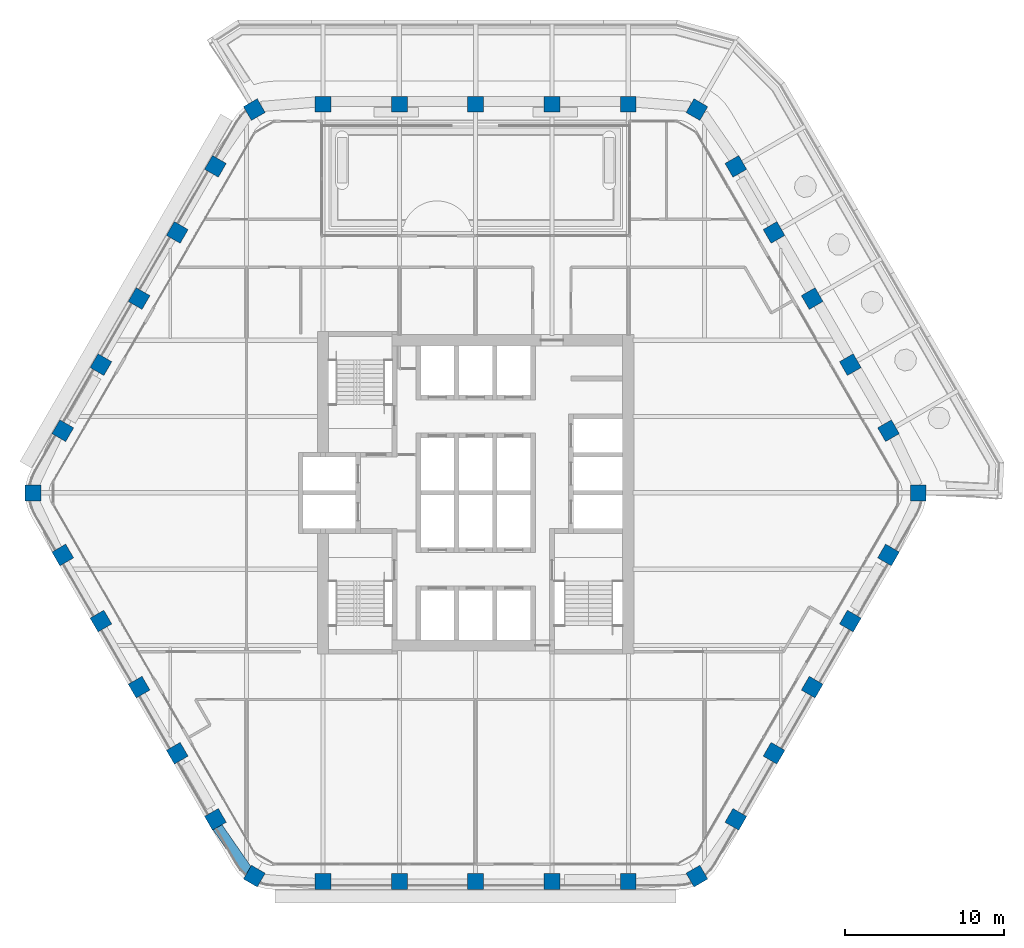
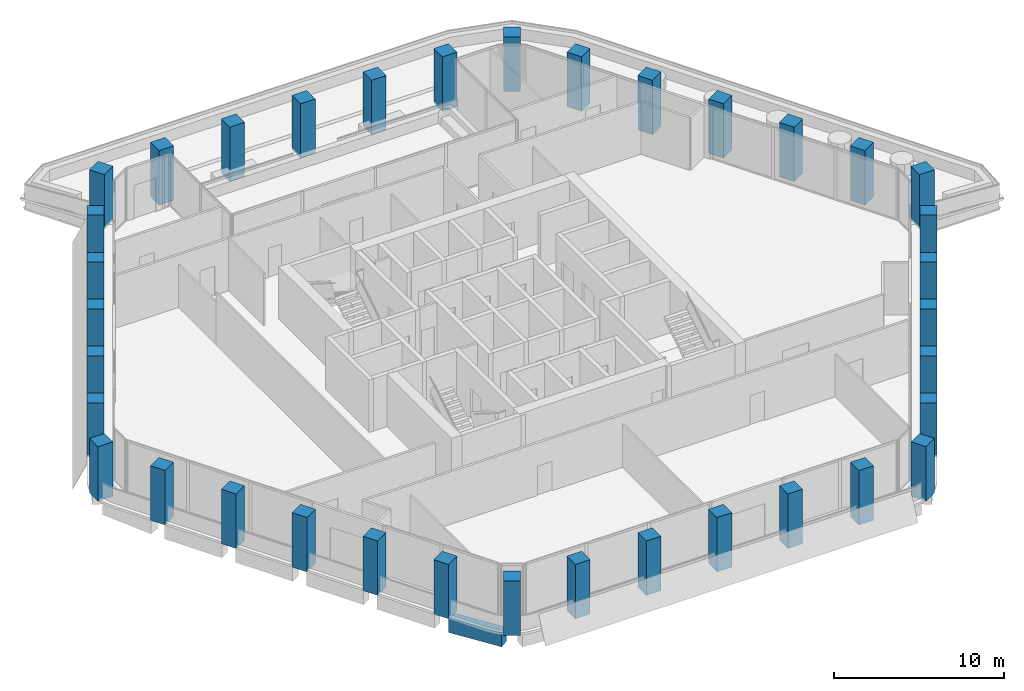
# One storey, part 1 of 17: 36 columns, 1 beam.
"""IFC4 building model written with IfcOpenShell, lengths in metres."""

from ifc_helpers import new_model, si_unit, direction, frame, origin, origin_2d, place, context, subcontext, project, spatial, rectangle, extrude, material, material_profile, profile_set, type_object, element, save


model = new_model("IFC4")

# Units and contexts
model_context = context("Model", 3, precision=1e-05, world=origin(), true_north=direction((0.0, 1.0)))
body_context = subcontext(model_context, "Body", "Model", "MODEL_VIEW")
ifc_project = project(units=[si_unit("LENGTHUNIT", "METRE"), si_unit("AREAUNIT", "SQUARE_METRE"), si_unit("VOLUMEUNIT", "CUBIC_METRE"), si_unit("PLANEANGLEUNIT", "RADIAN"), si_unit("MASSUNIT", "GRAM", prefix="KILO")], contexts=[model_context])

# Site, building, storey
site_placement = place(None, origin())
site = spatial("IfcSite", under=ifc_project, at=site_placement, CompositionType="ELEMENT")
building_placement = place(site_placement, origin())
building = spatial("IfcBuilding", under=site, at=building_placement, Name="Kolab Exchange Tower", CompositionType="ELEMENT")
storey_placement = place(building_placement, frame((0.0, 0.0, 166.10009765625)))
storey = spatial("IfcBuildingStorey", under=building, at=storey_placement, Name="L34", CompositionType="ELEMENT", Elevation=166.10009765625)

# Columns
ifc_material = material(Name="Concrete C60/75", Category="concrete")
ifc_material_profile_1 = material_profile(ifc_material, rectangle(XDim=1.0, YDim=1.0, at=origin_2d()), Name="RC1000")
ifc_profile_set_1 = profile_set([ifc_material_profile_1], Name="Concrete C60/75")
column_type = type_object("IfcColumnType", Name="PERIMETER COLUMN 1000 SQ C60/75", PredefinedType="COLUMN", material=ifc_profile_set_1)
for number, where, z_axis, x_axis, name in (
    (1, (-13.91796875, 24.106689453125, -0.150146484375), (0.0, 0.0, 1.0), (0.866025403784, 0.5, 0.0), "col/L34/F1-01"),
    (2, (-9.60009765625, 24.441650390625, -0.150146484375), (0.0, 0.0, 1.0), (1.0, 0.0, 0.0), "col/L34/F1-02"),
    (3, (-4.800048828125, 24.441650390625, -0.150146484375), (0.0, 0.0, 1.0), (1.0, 0.0, 0.0), "col/L34/F1-03"),
    (4, (0.0, 24.441650390625, -0.150146484375), (0.0, 0.0, 1.0), (1.0, 0.0, 0.0), "col/L34/F1-04"),
    (5, (4.800048828125, 24.441650390625, -0.150146484375), (0.0, 0.0, 1.0), (1.0, 0.0, 0.0), "col/L34/F1-05"),
    (6, (9.60009765625, 24.441650390625, -0.150146484375), (0.0, 0.0, 1.0), (1.0, 0.0, 0.0), "col/L34/F1-06"),
    (7, (13.91796875, 24.106689453125, -0.150146484375), (0.0, 0.0, 1.0), (0.5, 0.866025403784, 0.0), "col/L34/F2-01"),
    (8, (16.366943359375, 20.53466796875, -0.150146484375), (0.0, 0.0, 1.0), (0.866025403784, 0.5, 0.0), "col/L34/F2-02"),
    (9, (18.76708984375, 16.377685546875, -0.150146484375), (0.0, 0.0, 1.0), (0.866025403784, 0.5, 0.0), "col/L34/F2-03"),
    (10, (21.1669921875, 12.220703125, -0.150146484375), (0.0, 0.0, 1.0), (0.866025403784, 0.5, 0.0), "col/L34/F2-04"),
    (11, (23.56689453125, 8.06396484375, -0.150146484375), (0.0, 0.0, 1.0), (0.866025403784, 0.5, 0.0), "col/L34/F2-05"),
    (12, (25.967041015625, 3.906982421875, -0.150146484375), (0.0, 0.0, 1.0), (0.866025403784, 0.5, 0.0), "col/L34/F2-06"),
    (13, (27.8359375, 0.0, -0.150146484375), (0.0, 0.0, 1.0), (1.0, 0.0, 0.0), "col/L34/F3-01"),
    (14, (25.967041015625, -3.906982421875, -0.150146484375), (0.0, 0.0, 1.0), (0.5, 0.866025403784, 0.0), "col/L34/F3-02"),
    (15, (23.56689453125, -8.06396484375, -0.150146484375), (0.0, 0.0, 1.0), (0.5, 0.866025403784, 0.0), "col/L34/F3-03"),
    (16, (21.1669921875, -12.220703125, -0.150146484375), (0.0, 0.0, 1.0), (0.5, 0.866025403784, 0.0), "col/L34/F3-04"),
    (17, (18.76708984375, -16.377685546875, -0.150146484375), (0.0, 0.0, 1.0), (0.5, 0.866025403784, 0.0), "col/L34/F3-05"),
    (18, (16.366943359375, -20.53466796875, -0.150146484375), (0.0, 0.0, 1.0), (0.5, 0.866025403784, 0.0), "col/L34/F3-06"),
    (19, (13.91796875, -24.106689453125, -0.150146484375), (0.0, 0.0, 1.0), (0.866025403784, 0.5, 0.0), "col/L34/F4-01"),
    (20, (9.60009765625, -24.441650390625, -0.150146484375), (0.0, 0.0, 1.0), (1.0, 0.0, 0.0), "col/L34/F4-02"),
    (21, (4.800048828125, -24.441650390625, -0.150146484375), (0.0, 0.0, 1.0), (1.0, 0.0, 0.0), "col/L34/F4-03"),
    (22, (0.0, -24.441650390625, -0.150146484375), (0.0, 0.0, 1.0), (1.0, 0.0, 0.0), "col/L34/F4-04"),
    (23, (-4.800048828125, -24.441650390625, -0.150146484375), (0.0, 0.0, 1.0), (1.0, 0.0, 0.0), "col/L34/F4-05"),
    (24, (-9.60009765625, -24.441650390625, -0.150146484375), (0.0, 0.0, 1.0), (1.0, 0.0, 0.0), "col/L34/F4-06"),
    (25, (-13.91796875, -24.106689453125, -0.150146484375), (0.0, 0.0, 1.0), (0.5, 0.866025403784, 0.0), "col/L34/F5-01"),
    (26, (-16.366943359375, -20.53466796875, -0.150146484375), (0.0, 0.0, 1.0), (0.866025403784, 0.5, 0.0), "col/L34/F5-02"),
    (27, (-18.76708984375, -16.377685546875, -0.150146484375), (0.0, 0.0, 1.0), (0.866025403784, 0.5, 0.0), "col/L34/F5-03"),
    (28, (-21.1669921875, -12.220703125, -0.150146484375), (0.0, 0.0, 1.0), (0.866025403784, 0.5, 0.0), "col/L34/F5-04"),
    (29, (-23.56689453125, -8.06396484375, -0.150146484375), (0.0, 0.0, 1.0), (0.866025403784, 0.5, 0.0), "col/L34/F5-05"),
    (30, (-25.967041015625, -3.906982421875, -0.150146484375), (0.0, 0.0, 1.0), (0.866025403784, 0.5, 0.0), "col/L34/F5-06"),
    (31, (-27.8359375, 0.0, -0.150146484375), (0.0, 0.0, 1.0), (1.0, 0.0, 0.0), "col/L34/F6-01"),
    (32, (-25.967041015625, 3.906982421875, -0.150146484375), (0.0, 0.0, 1.0), (0.5, 0.866025403784, 0.0), "col/L34/F6-02"),
    (33, (-23.56689453125, 8.06396484375, -0.150146484375), (0.0, 0.0, 1.0), (0.5, 0.866025403784, 0.0), "col/L34/F6-03"),
    (34, (-21.1669921875, 12.220703125, -0.150146484375), (0.0, 0.0, 1.0), (0.5, 0.866025403784, 0.0), "col/L34/F6-04"),
    (35, (-18.76708984375, 16.377685546875, -0.150146484375), (0.0, 0.0, 1.0), (0.5, 0.866025403784, 0.0), "col/L34/F6-05"),
    (36, (-16.366943359375, 20.53466796875, -0.150146484375), (0.0, 0.0, 1.0), (0.5, 0.866025403784, 0.0), "col/L34/F6-06"),
):
    element("IfcColumn", number, at=place(storey_placement, frame(where, z_axis=z_axis, x_axis=x_axis)), inside=storey, type_object=column_type, Name=name, PredefinedType="COLUMN", context=body_context, shape_type="SweptSolid", body=[
        extrude(rectangle(XDim=1.0, YDim=1.0, at=origin_2d()), origin(), (0.0, 0.0, 1.0), 3.900146484375),
    ])

# Beam
ifc_material_profile_2 = material_profile(ifc_material, rectangle(XDim=0.64990234375, YDim=1.0, at=origin_2d()), Name="RC650X1000")
ifc_profile_set_2 = profile_set([ifc_material_profile_2], Name="Concrete C60/75")
beam_type = type_object("IfcBeamType", Name="SPANDREL BEAM 650X1000 C60/75", PredefinedType="BEAM", material=ifc_profile_set_2)
beam_placement = place(storey_placement, frame((-14.29736328125, -23.8359375, -0.650146484375), z_axis=(-0.568572281073, 0.822633309073, 0.0), x_axis=(-0.822633309073, -0.568572281073, 0.0)))
element("IfcBeam", 37, at=beam_placement, inside=storey, type_object=beam_type, Name="beam/L34/sp/F5-01", PredefinedType="BEAM", context=body_context, shape_type="SweptSolid", body=[
    extrude(rectangle(XDim=0.64990234375, YDim=1.0, at=origin_2d()), origin(), (0.0, 0.0, 1.0), 3.445068359375),
])

save(model, "model.ifc")
